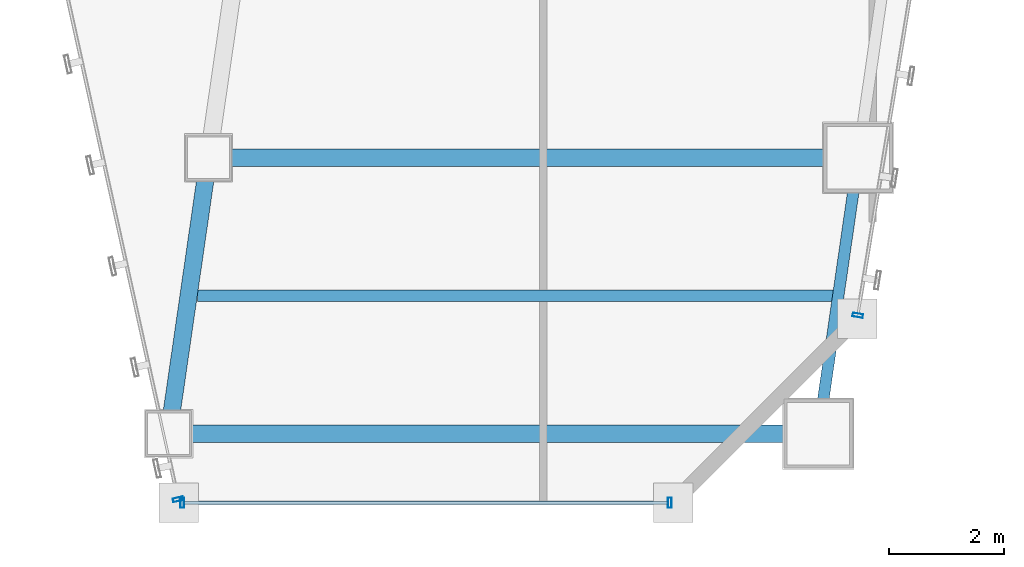
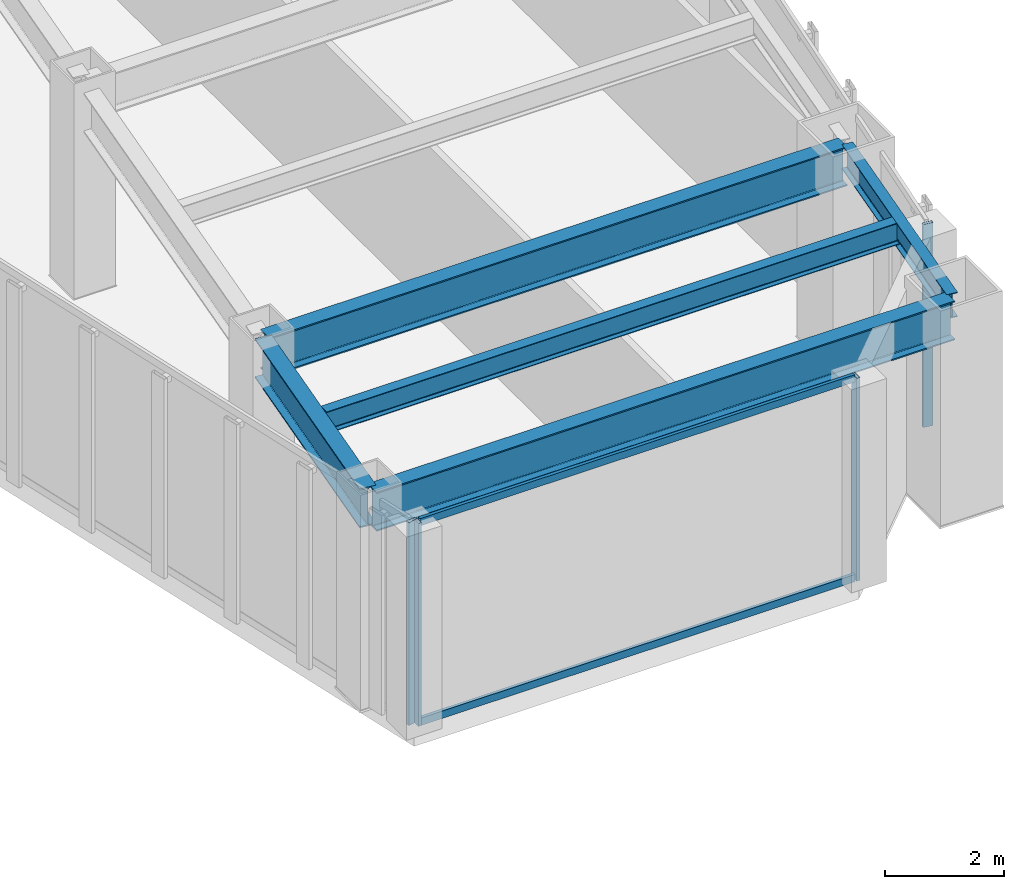
# One storey, part 15 of 49: 6 members, 5 beams, 3 elements without a shape of their own.
"""IFC4 building model written with IfcOpenShell, lengths in metres."""

from ifc_helpers import new_model, si_unit, direction, frame, origin, origin_2d, place, context, subcontext, project, spatial, hollow_rectangle, i_section, extrude, material, material_profile, profile_set, type_object, element, aggregate, save


model = new_model("IFC4")

# Units and contexts
model_context = context("Model", 3, precision=1e-05, world=origin(), true_north=direction((0.0, 1.0)))
body_context = subcontext(model_context, "Body", "Model", "MODEL_VIEW")
ifc_project = project(units=[si_unit("LENGTHUNIT", "METRE"), si_unit("AREAUNIT", "SQUARE_METRE"), si_unit("VOLUMEUNIT", "CUBIC_METRE"), si_unit("PLANEANGLEUNIT", "RADIAN"), si_unit("MASSUNIT", "GRAM", prefix="KILO")], contexts=[model_context])

# Site, building, storey
site_placement = place(None, origin())
site = spatial("IfcSite", under=ifc_project, at=site_placement, CompositionType="ELEMENT")
building_placement = place(site_placement, origin())
building = spatial("IfcBuilding", under=site, at=building_placement, Name="Saevonmaru Cultural Tower", CompositionType="ELEMENT")
storey_placement = place(building_placement, frame((0.0, 0.0, 38.39990234375)))
storey = spatial("IfcBuildingStorey", under=building, at=storey_placement, Name="L07", CompositionType="ELEMENT", Elevation=38.39990234375)

# Beams
ifc_material_1 = material(Name="Steel SM420", Category="steel")
ifc_material_profile_1 = material_profile(ifc_material_1, i_section(OverallWidth=0.300048828125, OverallDepth=0.800048828125, WebThickness=0.013916015625, FlangeThickness=0.02587890625, FilletRadius=0.028076171875, at=origin_2d()), Name="H-800x300x14x26")
ifc_profile_set_1 = profile_set([ifc_material_profile_1], Name="Steel SM420")
beam_type_1 = type_object("IfcBeamType", Name="BM-G-H800", PredefinedType="BEAM", material=ifc_profile_set_1)
beam_1_placement = place(storey_placement, frame((36.231689453125, 3.259521484375, 3.75), z_axis=(0.143083234893, 0.989710658674, 0.0), x_axis=(-0.989710658674, 0.143083234893, 0.0)))
element("IfcBeam", 1, at=beam_1_placement, inside=storey, type_object=beam_type_1, Name="L07 East Atrium Girder 1", PredefinedType="BEAM", context=body_context, shape_type="SweptSolid", body=[
    extrude(i_section(OverallWidth=0.300048828125, OverallDepth=0.800048828125, WebThickness=0.013916015625, FlangeThickness=0.02587890625, FilletRadius=0.028076171875, at=origin_2d()), origin(), (0.0, 0.0, 1.0), 4.729736328125),
])
for number, where, z_axis, x_axis, name in (
    (2, (36.282958984375, 3.199951171875, 3.75), (1.0, 0.0, 0.0), (0.0, 1.0, 0.0), "L07 East Wing Transverse Girder 1"),
    (3, (36.97705078125, 8.0, 3.75), (1.0, 0.0, 0.0), (0.0, 1.0, 0.0), "L07 East Wing Transverse Girder 2"),
):
    element("IfcBeam", number, at=place(storey_placement, frame(where, z_axis=z_axis, x_axis=x_axis)), inside=storey, type_object=beam_type_1, Name=name, PredefinedType="BEAM", context=body_context, shape_type="SweptSolid", body=[
        extrude(i_section(OverallWidth=0.300048828125, OverallDepth=0.800048828125, WebThickness=0.013916015625, FlangeThickness=0.02587890625, FilletRadius=0.028076171875, at=origin_2d()), origin(), (0.0, 0.0, 1.0), 11.179931640625),
    ])
ifc_material_2 = material(Name="Steel SM355", Category="steel")
ifc_material_profile_2 = material_profile(ifc_material_2, i_section(OverallWidth=0.199951171875, OverallDepth=0.449951171875, WebThickness=0.009033203125, FlangeThickness=0.013916015625, FilletRadius=0.01806640625, at=origin_2d()), Name="H-450x200x9x14")
ifc_profile_set_2 = profile_set([ifc_material_profile_2], Name="Steel SM355")
beam_type_2 = type_object("IfcBeamType", Name="BM-J-H450", PredefinedType="JOIST", material=ifc_profile_set_2)
beam_2_placement = place(storey_placement, frame((36.72802734375, 5.60009765625, 3.925048828125), z_axis=(1.0, 0.0, 0.0), x_axis=(0.0, 1.0, 0.0)))
element("IfcBeam", 4, at=beam_2_placement, inside=storey, type_object=beam_type_2, Name="L07 East Wing Floor Joist 1", PredefinedType="JOIST", context=body_context, shape_type="SweptSolid", body=[
    extrude(i_section(OverallWidth=0.199951171875, OverallDepth=0.449951171875, WebThickness=0.009033203125, FlangeThickness=0.013916015625, FilletRadius=0.01806640625, at=origin_2d()), origin(), (0.0, 0.0, 1.0), 11.08203125),
])
ifc_material_profile_3 = material_profile(ifc_material_2, i_section(OverallWidth=0.199951171875, OverallDepth=0.5, WebThickness=0.010009765625, FlangeThickness=0.01611328125, FilletRadius=0.02001953125, at=origin_2d()), Name="H-500x200x10x16")
ifc_profile_set_3 = profile_set([ifc_material_profile_3], Name="Steel SM355")
beam_type_3 = type_object("IfcBeamType", Name="BM-SP-H500", PredefinedType="SPANDREL", material=ifc_profile_set_3)
beam_3_placement = place(storey_placement, frame((47.531494140625, 3.259521484375, 3.900146484375), z_axis=(0.14313379491, 0.989703347855, 0.0), x_axis=(-0.989703347855, 0.14313379491, 0.0)))
element("IfcBeam", 5, at=beam_3_placement, inside=storey, type_object=beam_type_3, Name="L07 East Splayed Spandrel 1", PredefinedType="SPANDREL", context=body_context, shape_type="SweptSolid", body=[
    extrude(i_section(OverallWidth=0.199951171875, OverallDepth=0.5, WebThickness=0.010009765625, FlangeThickness=0.01611328125, FilletRadius=0.02001953125, at=origin_2d()), origin(), (0.0, 0.0, 1.0), 4.729736328125),
])

# Curtain wall, member
ifc_material_3 = material(Name="Satin Bronze Anodised Aluminium", Category="aluminium")
curtain_wall_type = type_object("IfcCurtainWallType", Name="CW-TYP-A", PredefinedType="NOTDEFINED", material=ifc_material_3)
curtain_wall_1_placement = place(storey_placement, origin())
curtain_wall_1 = element("IfcCurtainWall", 6, at=curtain_wall_1_placement, inside=storey, type_object=curtain_wall_type, Name="L07 Unitised Curtain Wall E5", PredefinedType="NOTDEFINED")
ifc_material_profile_4 = material_profile(ifc_material_3, hollow_rectangle(XDim=0.06494140625, YDim=0.179931640625, WallThickness=0.00390625, at=origin_2d()), Name="ALU-MULL-180x65x4")
ifc_profile_set_4 = profile_set([ifc_material_profile_4], Name="Satin Bronze Anodised Aluminium")
member_type_1 = type_object("IfcMemberType", Name="ML-CW-180x65", PredefinedType="MULLION", material=ifc_profile_set_4)
member_1_placement = place(storey_placement, frame((36.38720703125, 2.05859375, 0.0), z_axis=(0.0, 0.0, 1.0), x_axis=(0.215413319953, -0.976522965212, 0.0)))
member_1 = element("IfcMember", 7, at=member_1_placement, type_object=member_type_1, Name="CW-TW-L07-E5 mullion 2", PredefinedType="MULLION", context=body_context, shape_type="SweptSolid", body=[
    extrude(hollow_rectangle(XDim=0.06494140625, YDim=0.179931640625, WallThickness=0.00390625, at=origin_2d()), origin(), (0.0, 0.0, 1.0), 4.150146484375),
])
aggregate(curtain_wall_1, [member_1])

# Curtain wall, members
curtain_wall_2_placement = place(storey_placement, origin())
curtain_wall_2 = element("IfcCurtainWall", 8, at=curtain_wall_2_placement, inside=storey, type_object=curtain_wall_type, Name="L07 Unitised Curtain Wall E6", PredefinedType="NOTDEFINED")
member_2_placement = place(storey_placement, frame((36.4599609375, 2.0, 0.0), z_axis=(0.0, 0.0, 1.0), x_axis=(1.0, 0.0, 0.0)))
member_2 = element("IfcMember", 9, at=member_2_placement, type_object=member_type_1, Name="CW-TW-L07-E6 mullion 1", PredefinedType="MULLION", context=body_context, shape_type="SweptSolid", body=[
    extrude(hollow_rectangle(XDim=0.06494140625, YDim=0.179931640625, WallThickness=0.00390625, at=origin_2d()), origin(), (0.0, 0.0, 1.0), 4.150146484375),
])
member_3_placement = place(storey_placement, frame((44.93994140625, 2.0, 0.0), z_axis=(0.0, 0.0, 1.0), x_axis=(1.0, 0.0, 0.0)))
member_3 = element("IfcMember", 10, at=member_3_placement, type_object=member_type_1, Name="CW-TW-L07-E6 mullion 2", PredefinedType="MULLION", context=body_context, shape_type="SweptSolid", body=[
    extrude(hollow_rectangle(XDim=0.06494140625, YDim=0.179931640625, WallThickness=0.00390625, at=origin_2d()), origin(), (0.0, 0.0, 1.0), 4.150146484375),
])

# Curtain wall, member
curtain_wall_3_placement = place(storey_placement, origin())
curtain_wall_3 = element("IfcCurtainWall", 11, at=curtain_wall_3_placement, inside=storey, type_object=curtain_wall_type, Name="L07 Unitised Curtain Wall E8", PredefinedType="NOTDEFINED")
member_4_placement = place(storey_placement, frame((48.209716796875, 5.25927734375, 0.0), z_axis=(0.0, 0.0, 1.0), x_axis=(0.161708868641, 0.986838508472, 0.0)))
member_4 = element("IfcMember", 12, at=member_4_placement, type_object=member_type_1, Name="CW-TW-L07-E8 mullion 1", PredefinedType="MULLION", context=body_context, shape_type="SweptSolid", body=[
    extrude(hollow_rectangle(XDim=0.06494140625, YDim=0.179931640625, WallThickness=0.00390625, at=origin_2d()), origin(), (0.0, 0.0, 1.0), 4.150146484375),
])
aggregate(curtain_wall_3, [member_4])

# Member
ifc_material_profile_5 = material_profile(ifc_material_3, hollow_rectangle(XDim=0.06494140625, YDim=0.14990234375, WallThickness=0.00390625, at=origin_2d()), Name="ALU-TRAN-150x65x4")
ifc_profile_set_5 = profile_set([ifc_material_profile_5], Name="Satin Bronze Anodised Aluminium")
member_type_2 = type_object("IfcMemberType", Name="TR-CW-150x65", PredefinedType="USERDEFINED", material=ifc_profile_set_5)
member_5_placement = place(storey_placement, frame((36.492431640625, 2.0, 0.03271484375), z_axis=(1.0, 0.0, 0.0), x_axis=(0.0, 1.0, 0.0)))
member_5 = element("IfcMember", 13, at=member_5_placement, type_object=member_type_2, Name="CW-TW-L07-E6 transom 1.1", ObjectType="TRANSOM", PredefinedType="USERDEFINED", context=body_context, shape_type="SweptSolid", body=[
    extrude(hollow_rectangle(XDim=0.06494140625, YDim=0.14990234375, WallThickness=0.00390625, at=origin_2d()), origin(), (0.0, 0.0, 1.0), 8.4150390625),
])

member_6_placement = place(storey_placement, frame((36.492431640625, 2.0, 4.11767578125), z_axis=(1.0, 0.0, 0.0), x_axis=(0.0, 1.0, 0.0)))
member_6 = element("IfcMember", 14, at=member_6_placement, type_object=member_type_2, Name="CW-TW-L07-E6 transom 1.2", ObjectType="TRANSOM", PredefinedType="USERDEFINED", context=body_context, shape_type="SweptSolid", body=[
    extrude(hollow_rectangle(XDim=0.06494140625, YDim=0.14990234375, WallThickness=0.00390625, at=origin_2d()), origin(), (0.0, 0.0, 1.0), 8.4150390625),
])

aggregate(curtain_wall_2, [member_2, member_3, member_5, member_6])

save(model, "model.ifc")
